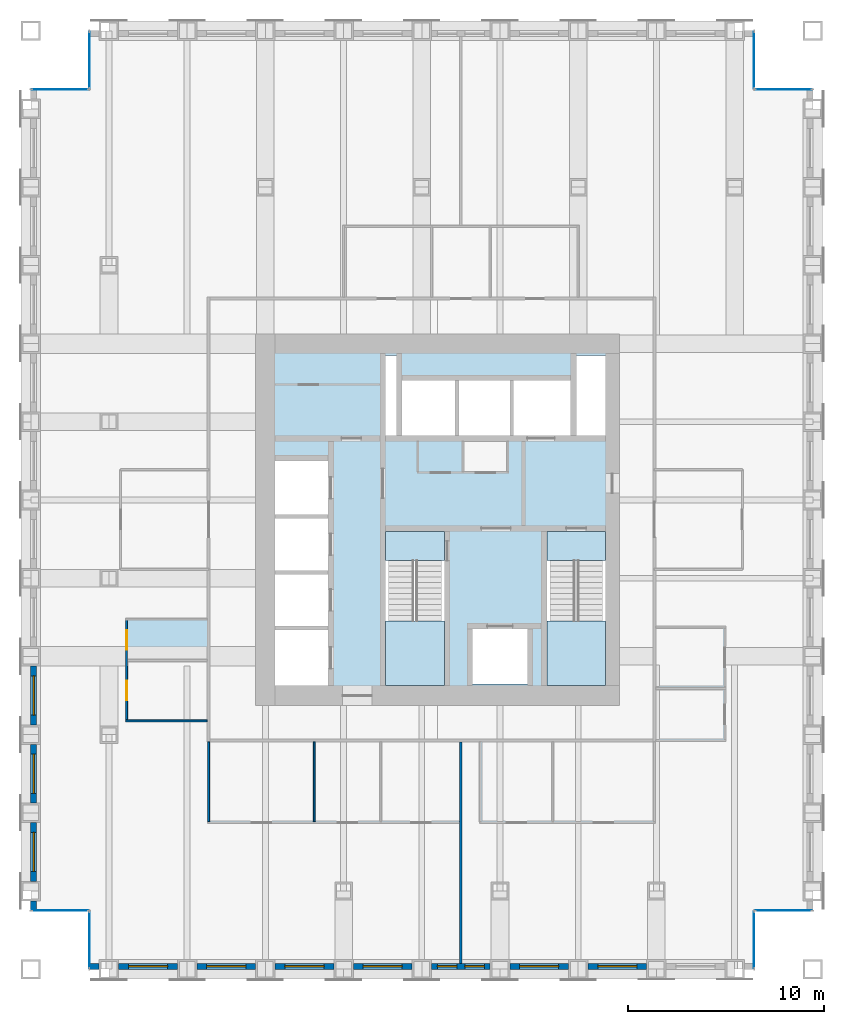
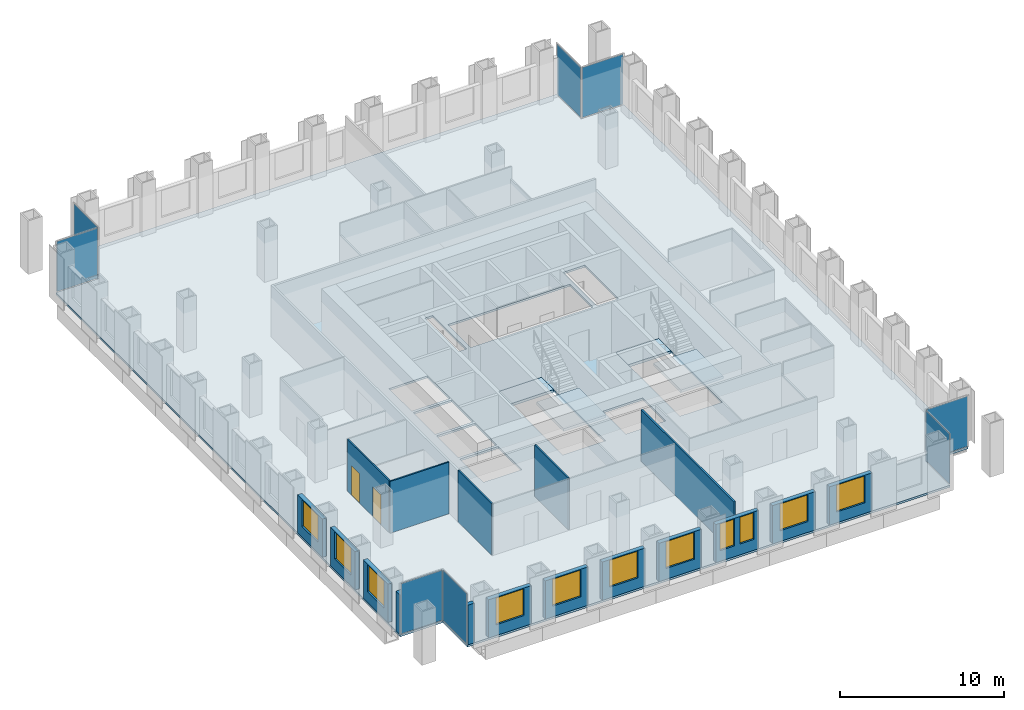
# One storey, part 7 of 12: 17 walls, 11 windows, 8 plates, 5 slabs, 2 doors, 13 openings, 10 elements without a shape of their own.
"""IFC4 building model written with IfcOpenShell, lengths in metres."""

from ifc_helpers import new_model, si_unit, direction, frame, frame_2d, origin, origin_2d, place, context, subcontext, project, spatial, polyline, rectangle, outline, extrude, material, layer, layer_set, type_object, element, fill, aggregate, save


model = new_model("IFC4")

# Units and contexts
model_context = context("Model", 3, precision=1e-05, world=origin(), true_north=direction((0.0, 1.0)))
body_context = subcontext(model_context, "Body", "Model", "MODEL_VIEW")
ifc_project = project(units=[si_unit("LENGTHUNIT", "METRE"), si_unit("AREAUNIT", "SQUARE_METRE"), si_unit("VOLUMEUNIT", "CUBIC_METRE"), si_unit("PLANEANGLEUNIT", "RADIAN"), si_unit("MASSUNIT", "GRAM", prefix="KILO")], contexts=[model_context])

# Site, building, storey
site_placement = place(None, origin())
site = spatial("IfcSite", under=ifc_project, at=site_placement, CompositionType="ELEMENT")
building_placement = place(site_placement, origin())
building = spatial("IfcBuilding", under=site, at=building_placement, Name="Rimbunsela Tower", CompositionType="ELEMENT")
storey_placement = place(building_placement, frame((0.0, 0.0, 147.800048828125)))
storey = spatial("IfcBuildingStorey", under=building, at=storey_placement, Name="L35", CompositionType="ELEMENT", Elevation=147.800048828125)

# Slab
ifc_material_1 = material(Name="Concrete fc' 35 MPa", Category="concrete")
ifc_layer_1 = layer(ifc_material_1, 0.14990234375)
ifc_layer_set_1 = layer_set([ifc_layer_1], Name="Floor slab 150")
slab_type_1 = type_object("IfcSlabType", Name="Floor slab 150", PredefinedType="FLOOR", material=ifc_layer_set_1)
slab_1_placement = place(storey_placement, frame((0.0, 0.0, -0.150146484375)))
element("IfcSlab", 1, at=slab_1_placement, inside=storey, type_object=slab_type_1, Name="Floor slab L35", PredefinedType="FLOOR", context=body_context, shape_type="SweptSolid", body=[
    extrude(outline(polyline([(9.0, 4.0), (43.0, 4.0), (43.0, 7.0), (46.0, 7.0), (46.0, 49.0), (43.0, 49.0), (43.0, 52.0), (9.0, 52.0), (9.0, 49.0), (6.0, 49.0), (6.0, 7.0), (9.0, 7.0), (9.0, 4.0)]), holes=[polyline([(21.199951171875, 21.35009765625), (18.5, 21.35009765625), (18.5, 18.5), (21.199951171875, 18.5), (21.199951171875, 21.35009765625)]), polyline([(21.199951171875, 21.550048828125), (21.199951171875, 24.199951171875), (18.5, 24.199951171875), (18.5, 21.550048828125), (21.199951171875, 21.550048828125)]), polyline([(21.199951171875, 27.050048828125), (18.5, 27.050048828125), (18.5, 24.39990234375), (21.199951171875, 24.39990234375), (21.199951171875, 27.050048828125)]), polyline([(21.199951171875, 27.25), (21.199951171875, 30.0), (18.5, 30.0), (18.5, 27.25), (21.199951171875, 27.25)]), polyline([(27.14990234375, 18.60009765625), (27.14990234375, 26.39990234375), (24.14990234375, 26.39990234375), (24.14990234375, 18.60009765625), (27.14990234375, 18.60009765625)]), polyline([(24.699951171875, 31.300048828125), (24.699951171875, 35.39990234375), (24.14990234375, 35.39990234375), (24.14990234375, 31.300048828125), (24.699951171875, 31.300048828125)]), polyline([(25.0, 34.10009765625), (25.0, 31.300048828125), (33.60009765625, 31.300048828125), (33.60009765625, 34.10009765625), (25.0, 34.10009765625)]), polyline([(31.39990234375, 21.39990234375), (28.60009765625, 21.39990234375), (28.60009765625, 18.60009765625), (31.39990234375, 18.60009765625), (31.39990234375, 21.39990234375)]), polyline([(35.39990234375, 18.60009765625), (35.39990234375, 26.39990234375), (32.39990234375, 26.39990234375), (32.39990234375, 18.60009765625), (35.39990234375, 18.60009765625)]), polyline([(35.39990234375, 31.300048828125), (35.39990234375, 35.39990234375), (33.89990234375, 35.39990234375), (33.89990234375, 31.300048828125), (35.39990234375, 31.300048828125)])]), origin(), (0.0, 0.0, 1.0), 0.150146484375),
])

# Curtain wall, plate
ifc_material_2 = material(Name="Aluminium curtain wall", Category="aluminium")
curtain_wall_type = type_object("IfcCurtainWallType", Name="Corner glazing", PredefinedType="USERDEFINED", material=ifc_material_2)
curtain_wall_1_placement = place(storey_placement, origin())
curtain_wall_1 = element("IfcCurtainWall", 2, at=curtain_wall_1_placement, inside=storey, type_object=curtain_wall_type, Name="Corner glazing L35", ObjectType="CORNER GLAZING", PredefinedType="USERDEFINED")
ifc_material_3 = material(Name="Clear double glazing", Category="glass")
ifc_layer_2 = layer(ifc_material_3, 0.028076171875)
ifc_layer_set_2 = layer_set([ifc_layer_2], Name="Glazed panel clear")
plate_type = type_object("IfcPlateType", Name="Glazed panel clear", PredefinedType="CURTAIN_PANEL", material=ifc_layer_set_2)
plate_1_placement = place(storey_placement, frame((43.0, 5.5, 0.06005859375), z_axis=(0.0, 0.0, 1.0), x_axis=(0.0, 1.0, 0.0)))
plate_1 = element("IfcPlate", 3, at=plate_1_placement, type_object=plate_type, Name="CW5 panel 1.1", PredefinedType="CURTAIN_PANEL", context=body_context, shape_type="SweptSolid", body=[
    extrude(rectangle(XDim=2.8798828125, YDim=0.028076171875, at=origin_2d()), origin(), (0.0, 0.0, 1.0), 3.72998046875),
])
aggregate(curtain_wall_1, [plate_1])

curtain_wall_2_placement = place(storey_placement, origin())
curtain_wall_2 = element("IfcCurtainWall", 4, at=curtain_wall_2_placement, inside=storey, type_object=curtain_wall_type, Name="Corner glazing L35", ObjectType="CORNER GLAZING", PredefinedType="USERDEFINED")
plate_2_placement = place(storey_placement, frame((44.5, 7.0, 0.06005859375), z_axis=(0.0, 0.0, 1.0), x_axis=(1.0, 0.0, 0.0)))
plate_2 = element("IfcPlate", 5, at=plate_2_placement, type_object=plate_type, Name="CW5 panel 1.1", PredefinedType="CURTAIN_PANEL", context=body_context, shape_type="SweptSolid", body=[
    extrude(rectangle(XDim=2.8798828125, YDim=0.028076171875, at=origin_2d()), origin(), (0.0, 0.0, 1.0), 3.72998046875),
])
aggregate(curtain_wall_2, [plate_2])

curtain_wall_3_placement = place(storey_placement, origin())
curtain_wall_3 = element("IfcCurtainWall", 6, at=curtain_wall_3_placement, inside=storey, type_object=curtain_wall_type, Name="Corner glazing L35", ObjectType="CORNER GLAZING", PredefinedType="USERDEFINED")
plate_3_placement = place(storey_placement, frame((44.5, 49.0, 0.06005859375), z_axis=(0.0, 0.0, 1.0), x_axis=(-1.0, 0.0, 0.0)))
plate_3 = element("IfcPlate", 7, at=plate_3_placement, type_object=plate_type, Name="CW5 panel 1.1", PredefinedType="CURTAIN_PANEL", context=body_context, shape_type="SweptSolid", body=[
    extrude(rectangle(XDim=2.8798828125, YDim=0.028076171875, at=origin_2d()), origin(), (0.0, 0.0, 1.0), 3.72998046875),
])
aggregate(curtain_wall_3, [plate_3])

curtain_wall_4_placement = place(storey_placement, origin())
curtain_wall_4 = element("IfcCurtainWall", 8, at=curtain_wall_4_placement, inside=storey, type_object=curtain_wall_type, Name="Corner glazing L35", ObjectType="CORNER GLAZING", PredefinedType="USERDEFINED")
plate_4_placement = place(storey_placement, frame((43.0, 50.5, 0.06005859375), z_axis=(0.0, 0.0, 1.0), x_axis=(0.0, 1.0, 0.0)))
plate_4 = element("IfcPlate", 9, at=plate_4_placement, type_object=plate_type, Name="CW5 panel 1.1", PredefinedType="CURTAIN_PANEL", context=body_context, shape_type="SweptSolid", body=[
    extrude(rectangle(XDim=2.8798828125, YDim=0.028076171875, at=origin_2d()), origin(), (0.0, 0.0, 1.0), 3.72998046875),
])
aggregate(curtain_wall_4, [plate_4])

curtain_wall_5_placement = place(storey_placement, origin())
curtain_wall_5 = element("IfcCurtainWall", 10, at=curtain_wall_5_placement, inside=storey, type_object=curtain_wall_type, Name="Corner glazing L35", ObjectType="CORNER GLAZING", PredefinedType="USERDEFINED")
plate_5_placement = place(storey_placement, frame((9.0, 50.5, 0.06005859375), z_axis=(0.0, 0.0, 1.0), x_axis=(0.0, -1.0, 0.0)))
plate_5 = element("IfcPlate", 11, at=plate_5_placement, type_object=plate_type, Name="CW5 panel 1.1", PredefinedType="CURTAIN_PANEL", context=body_context, shape_type="SweptSolid", body=[
    extrude(rectangle(XDim=2.8798828125, YDim=0.028076171875, at=origin_2d()), origin(), (0.0, 0.0, 1.0), 3.72998046875),
])
aggregate(curtain_wall_5, [plate_5])

curtain_wall_6_placement = place(storey_placement, origin())
curtain_wall_6 = element("IfcCurtainWall", 12, at=curtain_wall_6_placement, inside=storey, type_object=curtain_wall_type, Name="Corner glazing L35", ObjectType="CORNER GLAZING", PredefinedType="USERDEFINED")
plate_6_placement = place(storey_placement, frame((7.5, 49.0, 0.06005859375), z_axis=(0.0, 0.0, 1.0), x_axis=(-1.0, 0.0, 0.0)))
plate_6 = element("IfcPlate", 13, at=plate_6_placement, type_object=plate_type, Name="CW5 panel 1.1", PredefinedType="CURTAIN_PANEL", context=body_context, shape_type="SweptSolid", body=[
    extrude(rectangle(XDim=2.8798828125, YDim=0.028076171875, at=origin_2d()), origin(), (0.0, 0.0, 1.0), 3.72998046875),
])
aggregate(curtain_wall_6, [plate_6])

curtain_wall_7_placement = place(storey_placement, origin())
curtain_wall_7 = element("IfcCurtainWall", 14, at=curtain_wall_7_placement, inside=storey, type_object=curtain_wall_type, Name="Corner glazing L35", ObjectType="CORNER GLAZING", PredefinedType="USERDEFINED")
plate_7_placement = place(storey_placement, frame((7.5, 7.0, 0.06005859375), z_axis=(0.0, 0.0, 1.0), x_axis=(1.0, 0.0, 0.0)))
plate_7 = element("IfcPlate", 15, at=plate_7_placement, type_object=plate_type, Name="CW5 panel 1.1", PredefinedType="CURTAIN_PANEL", context=body_context, shape_type="SweptSolid", body=[
    extrude(rectangle(XDim=2.8798828125, YDim=0.028076171875, at=origin_2d()), origin(), (0.0, 0.0, 1.0), 3.72998046875),
])
aggregate(curtain_wall_7, [plate_7])

curtain_wall_8_placement = place(storey_placement, origin())
curtain_wall_8 = element("IfcCurtainWall", 16, at=curtain_wall_8_placement, inside=storey, type_object=curtain_wall_type, Name="Corner glazing L35", ObjectType="CORNER GLAZING", PredefinedType="USERDEFINED")
plate_8_placement = place(storey_placement, frame((9.0, 5.5, 0.06005859375), z_axis=(0.0, 0.0, 1.0), x_axis=(0.0, -1.0, 0.0)))
plate_8 = element("IfcPlate", 17, at=plate_8_placement, type_object=plate_type, Name="CW5 panel 1.1", PredefinedType="CURTAIN_PANEL", context=body_context, shape_type="SweptSolid", body=[
    extrude(rectangle(XDim=2.8798828125, YDim=0.028076171875, at=origin_2d()), origin(), (0.0, 0.0, 1.0), 3.72998046875),
])
aggregate(curtain_wall_8, [plate_8])

# Stair, slabs
ifc_material_4 = material(Name="Concrete fc' 35 MPa", Category="concrete")
stair_type = type_object("IfcStairType", Name="Exit stair 24 risers", PredefinedType="HALF_TURN_STAIR", material=ifc_material_4)
stair_1_placement = place(storey_placement, origin())
stair_1 = element("IfcStair", 18, at=stair_1_placement, inside=storey, type_object=stair_type, Name="Exit stair A L35", PredefinedType="HALF_TURN_STAIR")
ifc_material_5 = material(Name="Concrete fc' 35 MPa", Category="concrete")
ifc_layer_3 = layer(ifc_material_5, 0.199951171875)
ifc_layer_set_3 = layer_set([ifc_layer_3], Name="Stair landing 200")
slab_type_2 = type_object("IfcSlabType", Name="Stair landing 200", PredefinedType="LANDING", material=ifc_layer_set_3)
slab_2_placement = place(storey_placement, frame((0.0, 0.0, -0.199951171875)))
slab_2 = element("IfcSlab", 19, at=slab_2_placement, type_object=slab_type_2, Name="ST-A landing 1", PredefinedType="LANDING", context=body_context, shape_type="SweptSolid", body=[
    extrude(outline(polyline([(24.14990234375, 24.89990234375), (27.14990234375, 24.89990234375), (27.14990234375, 26.39990234375), (24.14990234375, 26.39990234375), (24.14990234375, 24.89990234375)])), origin(), (0.0, 0.0, 1.0), 0.199951171875),
])
slab_3_placement = place(storey_placement, frame((0.0, 0.0, 1.800048828125)))
slab_3 = element("IfcSlab", 20, at=slab_3_placement, type_object=slab_type_2, Name="ST-A landing 2", PredefinedType="LANDING", context=body_context, shape_type="SweptSolid", body=[
    extrude(outline(polyline([(24.14990234375, 18.5), (27.14990234375, 18.5), (27.14990234375, 21.820068359375), (24.14990234375, 21.820068359375), (24.14990234375, 18.5)])), origin(), (0.0, 0.0, 1.0), 0.199951171875),
])
aggregate(stair_1, [slab_2, slab_3])

stair_2_placement = place(storey_placement, origin())
stair_2 = element("IfcStair", 21, at=stair_2_placement, inside=storey, type_object=stair_type, Name="Exit stair B L35", PredefinedType="HALF_TURN_STAIR")
slab_4_placement = place(storey_placement, frame((0.0, 0.0, -0.199951171875)))
slab_4 = element("IfcSlab", 22, at=slab_4_placement, type_object=slab_type_2, Name="ST-B landing 1", PredefinedType="LANDING", context=body_context, shape_type="SweptSolid", body=[
    extrude(outline(polyline([(32.39990234375, 24.89990234375), (35.39990234375, 24.89990234375), (35.39990234375, 26.39990234375), (32.39990234375, 26.39990234375), (32.39990234375, 24.89990234375)])), origin(), (0.0, 0.0, 1.0), 0.199951171875),
])
slab_5_placement = place(storey_placement, frame((0.0, 0.0, 1.800048828125)))
slab_5 = element("IfcSlab", 23, at=slab_5_placement, type_object=slab_type_2, Name="ST-B landing 2", PredefinedType="LANDING", context=body_context, shape_type="SweptSolid", body=[
    extrude(outline(polyline([(32.39990234375, 18.5), (35.39990234375, 18.5), (35.39990234375, 21.820068359375), (32.39990234375, 21.820068359375), (32.39990234375, 18.5)])), origin(), (0.0, 0.0, 1.0), 0.199951171875),
])
aggregate(stair_2, [slab_4, slab_5])

# Wall
ifc_material_6 = material(Name="Gypsum board on steel studs", Category="steel")
ifc_layer_4 = layer(ifc_material_6, 0.10009765625)
ifc_layer_set_4 = layer_set([ifc_layer_4], Name="Office partition 100")
wall_type_1 = type_object("IfcWallType", Name="Office partition 100", PredefinedType="PARTITIONING", material=ifc_layer_set_4)
wall_1_placement = place(storey_placement, frame((10.85009765625, 16.699951171875, 0.0), z_axis=(0.0, 0.0, 1.0), x_axis=(1.0, 0.0, 0.0)))
element("IfcWall", 24, at=wall_1_placement, inside=storey, type_object=wall_type_1, Name="Office partition", PredefinedType="PARTITIONING", context=body_context, shape_type="SweptSolid", body=[
    extrude(rectangle(XDim=4.1748046875, YDim=0.10009765625, at=frame_2d((2.08740234375, 0.0))), origin(), (0.0, 0.0, 1.0), 3.849853515625),
])

# Wall, openings, doors
wall_2_placement = place(storey_placement, frame((10.89990234375, 16.75, 0.0), z_axis=(0.0, 0.0, 1.0), x_axis=(0.0, 1.0, 0.0)))
wall_2 = element("IfcWall", 25, at=wall_2_placement, inside=storey, type_object=wall_type_1, Name="Office partition", PredefinedType="PARTITIONING", context=body_context, shape_type="SweptSolid", body=[
    extrude(rectangle(XDim=5.10009765625, YDim=0.10009765625, at=frame_2d((2.550048828125, 0.0))), origin(), (0.0, 0.0, 1.0), 3.849853515625),
])
opening_1_placement = place(wall_2_placement, frame((1.0, 0.0, 0.0)))
opening_1 = element("IfcOpeningElement", 26, at=opening_1_placement, cuts=wall_2, Name="Opening D16", PredefinedType="OPENING", context=body_context, shape_type="SweptSolid", body=[
    extrude(rectangle(XDim=1.0, YDim=2.199951171875, at=frame_2d((0.5, 1.10009765625))), frame((0.0, 0.06005859375, 0.0), z_axis=(0.0, -1.0, 0.0), x_axis=(1.0, 0.0, 0.0)), (0.0, 0.0, 1.0), 0.1201171875),
])
opening_2_placement = place(wall_2_placement, frame((3.60009765625, 0.0, 0.0)))
opening_2 = element("IfcOpeningElement", 27, at=opening_2_placement, cuts=wall_2, Name="Opening D16", PredefinedType="OPENING", context=body_context, shape_type="SweptSolid", body=[
    extrude(rectangle(XDim=1.0, YDim=2.199951171875, at=frame_2d((0.5, 1.10009765625))), frame((0.0, 0.06005859375, 0.0), z_axis=(0.0, -1.0, 0.0), x_axis=(1.0, 0.0, 0.0)), (0.0, 0.0, 1.0), 0.1201171875),
])
ifc_material_7 = material(Name="Timber door", Category="wood")
door_type = type_object("IfcDoorType", Name="Office door 1000", OperationType="SINGLE_SWING_LEFT", PredefinedType="DOOR", material=ifc_material_7)
door_1_placement = place(opening_1_placement, origin())
door_1 = element("IfcDoor", 28, at=door_1_placement, inside=storey, type_object=door_type, Name="Office door", OperationType="SINGLE_SWING_LEFT", OverallHeight=2.199951171875, OverallWidth=1.0, PredefinedType="DOOR", context=body_context, shape_type="SweptSolid", body=[
    extrude(rectangle(XDim=1.0, YDim=2.199951171875, at=frame_2d((0.5, 1.10009765625))), frame((0.0, 0.02490234375, 0.0), z_axis=(0.0, -1.0, 0.0), x_axis=(1.0, 0.0, 0.0)), (0.0, 0.0, 1.0), 0.050048828125),
])
fill(opening_1, door_1)
door_2_placement = place(opening_2_placement, origin())
door_2 = element("IfcDoor", 29, at=door_2_placement, inside=storey, type_object=door_type, Name="Office door", OperationType="SINGLE_SWING_LEFT", OverallHeight=2.199951171875, OverallWidth=1.0, PredefinedType="DOOR", context=body_context, shape_type="SweptSolid", body=[
    extrude(rectangle(XDim=1.0, YDim=2.199951171875, at=frame_2d((0.5, 1.10009765625))), frame((0.0, 0.02490234375, 0.0), z_axis=(0.0, -1.0, 0.0), x_axis=(1.0, 0.0, 0.0)), (0.0, 0.0, 1.0), 0.050048828125),
])
fill(opening_2, door_2)

# Walls
for number, where, z_axis, x_axis, name in (
    (30, (15.10009765625, 11.550048828125, 0.0), (0.0, 0.0, 1.0), (0.0, 1.0, 0.0), "Office partition"),
    (31, (20.5, 11.550048828125, 0.0), (0.0, 0.0, 1.0), (0.0, 1.0, 0.0), "Office partition"),
):
    element("IfcWall", number, at=place(storey_placement, frame(where, z_axis=z_axis, x_axis=x_axis)), inside=storey, type_object=wall_type_1, Name=name, PredefinedType="PARTITIONING", context=body_context, shape_type="SweptSolid", body=[
        extrude(rectangle(XDim=4.074951171875, YDim=0.10009765625, at=frame_2d((2.03759765625, 0.0))), origin(), (0.0, 0.0, 1.0), 3.849853515625),
    ])
ifc_material_8 = material(Name="Precast concrete fc' 35 MPa", Category="concrete")
ifc_layer_5 = layer(ifc_material_8, 0.300048828125)
ifc_layer_set_5 = layer_set([ifc_layer_5], Name="Precast concrete fc' 35 MPa")
wall_type_2 = type_object("IfcWallType", Name="Precast facade panel 300", PredefinedType="ELEMENTEDWALL", material=ifc_layer_set_5)
wall_3_placement = place(storey_placement, frame((9.030029296875, 4.14990234375, 0.0), z_axis=(0.0, 0.0, 1.0), x_axis=(1.0, 0.0, 0.0)))
element("IfcWall", 32, at=wall_3_placement, inside=storey, type_object=wall_type_2, Name="Facade panel S L35", PredefinedType="ELEMENTEDWALL", context=body_context, shape_type="SweptSolid", body=[
    extrude(rectangle(XDim=0.469970703125, YDim=0.300048828125, at=frame_2d((0.23486328125, 0.0))), origin(), (0.0, 0.0, 1.0), 2.949951171875),
])

# Wall, opening, window
wall_4_placement = place(storey_placement, frame((10.5, 4.14990234375, 0.0), z_axis=(0.0, 0.0, 1.0), x_axis=(1.0, 0.0, 0.0)))
wall_4 = element("IfcWall", 33, at=wall_4_placement, inside=storey, type_object=wall_type_2, Name="Facade panel S L35", PredefinedType="ELEMENTEDWALL", context=body_context, shape_type="SweptSolid", body=[
    extrude(rectangle(XDim=3.0, YDim=0.300048828125, at=frame_2d((1.5, 0.0))), origin(), (0.0, 0.0, 1.0), 2.849853515625),
])
opening_3_placement = place(wall_4_placement, frame((0.5, 0.0, 0.800048828125)))
opening_3 = element("IfcOpeningElement", 34, at=opening_3_placement, cuts=wall_4, Name="Opening W1", PredefinedType="OPENING", context=body_context, shape_type="SweptSolid", body=[
    extrude(rectangle(XDim=2.0, YDim=2.0, at=frame_2d((1.0, 1.0))), frame((0.0, 0.159912109375, 0.0), z_axis=(0.0, -1.0, 0.0), x_axis=(1.0, 0.0, 0.0)), (0.0, 0.0, 1.0), 0.320068359375),
])
ifc_material_9 = material(Name="Clear glass in aluminium frame", Category="aluminium")
window_type_1 = type_object("IfcWindowType", Name="Window W1 2000x2000", PartitioningType="DOUBLE_PANEL_VERTICAL", PredefinedType="WINDOW", material=ifc_material_9)
window_1_placement = place(opening_3_placement, origin())
window_1 = element("IfcWindow", 35, at=window_1_placement, inside=storey, type_object=window_type_1, Name="Window L35", OverallHeight=2.0, OverallWidth=2.0, PartitioningType="SINGLE_PANEL", PredefinedType="WINDOW", context=body_context, shape_type="SweptSolid", body=[
    extrude(rectangle(XDim=2.0, YDim=2.0, at=frame_2d((1.0, 1.0))), frame((0.0, 0.030029296875, 0.0), z_axis=(0.0, -1.0, 0.0), x_axis=(1.0, 0.0, 0.0)), (0.0, 0.0, 1.0), 0.06005859375),
])
fill(opening_3, window_1)

wall_5_placement = place(storey_placement, frame((14.5, 4.14990234375, 0.0), z_axis=(0.0, 0.0, 1.0), x_axis=(1.0, 0.0, 0.0)))
wall_5 = element("IfcWall", 36, at=wall_5_placement, inside=storey, type_object=wall_type_2, Name="Facade panel S L35", PredefinedType="ELEMENTEDWALL", context=body_context, shape_type="SweptSolid", body=[
    extrude(rectangle(XDim=3.0, YDim=0.300048828125, at=frame_2d((1.5, 0.0))), origin(), (0.0, 0.0, 1.0), 2.849853515625),
])
opening_4_placement = place(wall_5_placement, frame((0.5, 0.0, 0.800048828125)))
opening_4 = element("IfcOpeningElement", 37, at=opening_4_placement, cuts=wall_5, Name="Opening W1", PredefinedType="OPENING", context=body_context, shape_type="SweptSolid", body=[
    extrude(rectangle(XDim=2.0, YDim=2.0, at=frame_2d((1.0, 1.0))), frame((0.0, 0.159912109375, 0.0), z_axis=(0.0, -1.0, 0.0), x_axis=(1.0, 0.0, 0.0)), (0.0, 0.0, 1.0), 0.320068359375),
])
window_2_placement = place(opening_4_placement, origin())
window_2 = element("IfcWindow", 38, at=window_2_placement, inside=storey, type_object=window_type_1, Name="Window L35", OverallHeight=2.0, OverallWidth=2.0, PartitioningType="SINGLE_PANEL", PredefinedType="WINDOW", context=body_context, shape_type="SweptSolid", body=[
    extrude(rectangle(XDim=2.0, YDim=2.0, at=frame_2d((1.0, 1.0))), frame((0.0, 0.030029296875, 0.0), z_axis=(0.0, -1.0, 0.0), x_axis=(1.0, 0.0, 0.0)), (0.0, 0.0, 1.0), 0.06005859375),
])
fill(opening_4, window_2)

wall_6_placement = place(storey_placement, frame((18.5, 4.14990234375, 0.0), z_axis=(0.0, 0.0, 1.0), x_axis=(1.0, 0.0, 0.0)))
wall_6 = element("IfcWall", 39, at=wall_6_placement, inside=storey, type_object=wall_type_2, Name="Facade panel S L35", PredefinedType="ELEMENTEDWALL", context=body_context, shape_type="SweptSolid", body=[
    extrude(rectangle(XDim=3.0, YDim=0.300048828125, at=frame_2d((1.5, 0.0))), origin(), (0.0, 0.0, 1.0), 2.849853515625),
])
opening_5_placement = place(wall_6_placement, frame((0.5, 0.0, 0.800048828125)))
opening_5 = element("IfcOpeningElement", 40, at=opening_5_placement, cuts=wall_6, Name="Opening W1", PredefinedType="OPENING", context=body_context, shape_type="SweptSolid", body=[
    extrude(rectangle(XDim=2.0, YDim=2.0, at=frame_2d((1.0, 1.0))), frame((0.0, 0.159912109375, 0.0), z_axis=(0.0, -1.0, 0.0), x_axis=(1.0, 0.0, 0.0)), (0.0, 0.0, 1.0), 0.320068359375),
])
window_3_placement = place(opening_5_placement, origin())
window_3 = element("IfcWindow", 41, at=window_3_placement, inside=storey, type_object=window_type_1, Name="Window L35", OverallHeight=2.0, OverallWidth=2.0, PartitioningType="SINGLE_PANEL", PredefinedType="WINDOW", context=body_context, shape_type="SweptSolid", body=[
    extrude(rectangle(XDim=2.0, YDim=2.0, at=frame_2d((1.0, 1.0))), frame((0.0, 0.030029296875, 0.0), z_axis=(0.0, -1.0, 0.0), x_axis=(1.0, 0.0, 0.0)), (0.0, 0.0, 1.0), 0.06005859375),
])
fill(opening_5, window_3)

wall_7_placement = place(storey_placement, frame((22.5, 4.14990234375, 0.0), z_axis=(0.0, 0.0, 1.0), x_axis=(1.0, 0.0, 0.0)))
wall_7 = element("IfcWall", 42, at=wall_7_placement, inside=storey, type_object=wall_type_2, Name="Facade panel S L35", PredefinedType="ELEMENTEDWALL", context=body_context, shape_type="SweptSolid", body=[
    extrude(rectangle(XDim=3.0, YDim=0.300048828125, at=frame_2d((1.5, 0.0))), origin(), (0.0, 0.0, 1.0), 2.849853515625),
])
opening_6_placement = place(wall_7_placement, frame((0.5, 0.0, 0.800048828125)))
opening_6 = element("IfcOpeningElement", 43, at=opening_6_placement, cuts=wall_7, Name="Opening W1", PredefinedType="OPENING", context=body_context, shape_type="SweptSolid", body=[
    extrude(rectangle(XDim=2.0, YDim=2.0, at=frame_2d((1.0, 1.0))), frame((0.0, 0.159912109375, 0.0), z_axis=(0.0, -1.0, 0.0), x_axis=(1.0, 0.0, 0.0)), (0.0, 0.0, 1.0), 0.320068359375),
])
window_4_placement = place(opening_6_placement, origin())
window_4 = element("IfcWindow", 44, at=window_4_placement, inside=storey, type_object=window_type_1, Name="Window L35", OverallHeight=2.0, OverallWidth=2.0, PartitioningType="SINGLE_PANEL", PredefinedType="WINDOW", context=body_context, shape_type="SweptSolid", body=[
    extrude(rectangle(XDim=2.0, YDim=2.0, at=frame_2d((1.0, 1.0))), frame((0.0, 0.030029296875, 0.0), z_axis=(0.0, -1.0, 0.0), x_axis=(1.0, 0.0, 0.0)), (0.0, 0.0, 1.0), 0.06005859375),
])
fill(opening_6, window_4)

# Wall, openings, windows
wall_8_placement = place(storey_placement, frame((26.5, 4.14990234375, 0.0), z_axis=(0.0, 0.0, 1.0), x_axis=(1.0, 0.0, 0.0)))
wall_8 = element("IfcWall", 45, at=wall_8_placement, inside=storey, type_object=wall_type_2, Name="Facade panel S L35", PredefinedType="ELEMENTEDWALL", context=body_context, shape_type="SweptSolid", body=[
    extrude(rectangle(XDim=3.0, YDim=0.300048828125, at=frame_2d((1.5, 0.0))), origin(), (0.0, 0.0, 1.0), 2.849853515625),
])
opening_7_placement = place(wall_8_placement, frame((0.300048828125, 0.0, 0.800048828125)))
opening_7 = element("IfcOpeningElement", 46, at=opening_7_placement, cuts=wall_8, Name="Opening W5", PredefinedType="OPENING", context=body_context, shape_type="SweptSolid", body=[
    extrude(rectangle(XDim=1.0, YDim=2.0, at=frame_2d((0.5, 1.0))), frame((0.0, 0.159912109375, 0.0), z_axis=(0.0, -1.0, 0.0), x_axis=(1.0, 0.0, 0.0)), (0.0, 0.0, 1.0), 0.320068359375),
])
opening_8_placement = place(wall_8_placement, frame((1.699951171875, 0.0, 0.800048828125)))
opening_8 = element("IfcOpeningElement", 47, at=opening_8_placement, cuts=wall_8, Name="Opening W5", PredefinedType="OPENING", context=body_context, shape_type="SweptSolid", body=[
    extrude(rectangle(XDim=1.0, YDim=2.0, at=frame_2d((0.5, 1.0))), frame((0.0, 0.159912109375, 0.0), z_axis=(0.0, -1.0, 0.0), x_axis=(1.0, 0.0, 0.0)), (0.0, 0.0, 1.0), 0.320068359375),
])
ifc_material_10 = material(Name="Clear glass in aluminium frame", Category="aluminium")
window_type_2 = type_object("IfcWindowType", Name="Window W5 1000x2000", PartitioningType="SINGLE_PANEL", PredefinedType="WINDOW", material=ifc_material_10)
window_5_placement = place(opening_7_placement, origin())
window_5 = element("IfcWindow", 48, at=window_5_placement, inside=storey, type_object=window_type_2, Name="Window L35", OverallHeight=2.0, OverallWidth=1.0, PartitioningType="SINGLE_PANEL", PredefinedType="WINDOW", context=body_context, shape_type="SweptSolid", body=[
    extrude(rectangle(XDim=1.0, YDim=2.0, at=frame_2d((0.5, 1.0))), frame((0.0, 0.030029296875, 0.0), z_axis=(0.0, -1.0, 0.0), x_axis=(1.0, 0.0, 0.0)), (0.0, 0.0, 1.0), 0.06005859375),
])
fill(opening_7, window_5)
window_6_placement = place(opening_8_placement, origin())
window_6 = element("IfcWindow", 49, at=window_6_placement, inside=storey, type_object=window_type_2, Name="Window L35", OverallHeight=2.0, OverallWidth=1.0, PartitioningType="SINGLE_PANEL", PredefinedType="WINDOW", context=body_context, shape_type="SweptSolid", body=[
    extrude(rectangle(XDim=1.0, YDim=2.0, at=frame_2d((0.5, 1.0))), frame((0.0, 0.030029296875, 0.0), z_axis=(0.0, -1.0, 0.0), x_axis=(1.0, 0.0, 0.0)), (0.0, 0.0, 1.0), 0.06005859375),
])
fill(opening_8, window_6)

# Wall, opening, window
wall_9_placement = place(storey_placement, frame((30.5, 4.14990234375, 0.0), z_axis=(0.0, 0.0, 1.0), x_axis=(1.0, 0.0, 0.0)))
wall_9 = element("IfcWall", 50, at=wall_9_placement, inside=storey, type_object=wall_type_2, Name="Facade panel S L35", PredefinedType="ELEMENTEDWALL", context=body_context, shape_type="SweptSolid", body=[
    extrude(rectangle(XDim=3.0, YDim=0.300048828125, at=frame_2d((1.5, 0.0))), origin(), (0.0, 0.0, 1.0), 2.849853515625),
])
opening_9_placement = place(wall_9_placement, frame((0.5, 0.0, 0.800048828125)))
opening_9 = element("IfcOpeningElement", 51, at=opening_9_placement, cuts=wall_9, Name="Opening W1", PredefinedType="OPENING", context=body_context, shape_type="SweptSolid", body=[
    extrude(rectangle(XDim=2.0, YDim=2.0, at=frame_2d((1.0, 1.0))), frame((0.0, 0.159912109375, 0.0), z_axis=(0.0, -1.0, 0.0), x_axis=(1.0, 0.0, 0.0)), (0.0, 0.0, 1.0), 0.320068359375),
])
window_7_placement = place(opening_9_placement, origin())
window_7 = element("IfcWindow", 52, at=window_7_placement, inside=storey, type_object=window_type_1, Name="Window L35", OverallHeight=2.0, OverallWidth=2.0, PartitioningType="SINGLE_PANEL", PredefinedType="WINDOW", context=body_context, shape_type="SweptSolid", body=[
    extrude(rectangle(XDim=2.0, YDim=2.0, at=frame_2d((1.0, 1.0))), frame((0.0, 0.030029296875, 0.0), z_axis=(0.0, -1.0, 0.0), x_axis=(1.0, 0.0, 0.0)), (0.0, 0.0, 1.0), 0.06005859375),
])
fill(opening_9, window_7)

wall_10_placement = place(storey_placement, frame((34.5, 4.14990234375, 0.0), z_axis=(0.0, 0.0, 1.0), x_axis=(1.0, 0.0, 0.0)))
wall_10 = element("IfcWall", 53, at=wall_10_placement, inside=storey, type_object=wall_type_2, Name="Facade panel S L35", PredefinedType="ELEMENTEDWALL", context=body_context, shape_type="SweptSolid", body=[
    extrude(rectangle(XDim=3.0, YDim=0.300048828125, at=frame_2d((1.5, 0.0))), origin(), (0.0, 0.0, 1.0), 2.849853515625),
])
opening_10_placement = place(wall_10_placement, frame((0.5, 0.0, 0.800048828125)))
opening_10 = element("IfcOpeningElement", 54, at=opening_10_placement, cuts=wall_10, Name="Opening W1", PredefinedType="OPENING", context=body_context, shape_type="SweptSolid", body=[
    extrude(rectangle(XDim=2.0, YDim=2.0, at=frame_2d((1.0, 1.0))), frame((0.0, 0.159912109375, 0.0), z_axis=(0.0, -1.0, 0.0), x_axis=(1.0, 0.0, 0.0)), (0.0, 0.0, 1.0), 0.320068359375),
])
window_8_placement = place(opening_10_placement, origin())
window_8 = element("IfcWindow", 55, at=window_8_placement, inside=storey, type_object=window_type_1, Name="Window L35", OverallHeight=2.0, OverallWidth=2.0, PartitioningType="SINGLE_PANEL", PredefinedType="WINDOW", context=body_context, shape_type="SweptSolid", body=[
    extrude(rectangle(XDim=2.0, YDim=2.0, at=frame_2d((1.0, 1.0))), frame((0.0, 0.030029296875, 0.0), z_axis=(0.0, -1.0, 0.0), x_axis=(1.0, 0.0, 0.0)), (0.0, 0.0, 1.0), 0.06005859375),
])
fill(opening_10, window_8)

# Wall
wall_11_placement = place(storey_placement, frame((6.14990234375, 7.5, 0.0), z_axis=(0.0, 0.0, 1.0), x_axis=(0.0, -1.0, 0.0)))
element("IfcWall", 56, at=wall_11_placement, inside=storey, type_object=wall_type_2, Name="Facade panel W L35", PredefinedType="ELEMENTEDWALL", context=body_context, shape_type="SweptSolid", body=[
    extrude(rectangle(XDim=0.469970703125, YDim=0.300048828125, at=frame_2d((0.23486328125, 0.0))), origin(), (0.0, 0.0, 1.0), 2.949951171875),
])

# Wall, opening, window
wall_12_placement = place(storey_placement, frame((6.14990234375, 11.5, 0.0), z_axis=(0.0, 0.0, 1.0), x_axis=(0.0, -1.0, 0.0)))
wall_12 = element("IfcWall", 57, at=wall_12_placement, inside=storey, type_object=wall_type_2, Name="Facade panel W L35", PredefinedType="ELEMENTEDWALL", context=body_context, shape_type="SweptSolid", body=[
    extrude(rectangle(XDim=3.0, YDim=0.300048828125, at=frame_2d((1.5, 0.0))), origin(), (0.0, 0.0, 1.0), 2.849853515625),
])
opening_11_placement = place(wall_12_placement, frame((0.5, 0.0, 0.800048828125)))
opening_11 = element("IfcOpeningElement", 58, at=opening_11_placement, cuts=wall_12, Name="Opening W1", PredefinedType="OPENING", context=body_context, shape_type="SweptSolid", body=[
    extrude(rectangle(XDim=2.0, YDim=2.0, at=frame_2d((1.0, 1.0))), frame((0.0, 0.159912109375, 0.0), z_axis=(0.0, -1.0, 0.0), x_axis=(1.0, 0.0, 0.0)), (0.0, 0.0, 1.0), 0.320068359375),
])
window_9_placement = place(opening_11_placement, origin())
window_9 = element("IfcWindow", 59, at=window_9_placement, inside=storey, type_object=window_type_1, Name="Window L35", OverallHeight=2.0, OverallWidth=2.0, PartitioningType="SINGLE_PANEL", PredefinedType="WINDOW", context=body_context, shape_type="SweptSolid", body=[
    extrude(rectangle(XDim=2.0, YDim=2.0, at=frame_2d((1.0, 1.0))), frame((0.0, 0.030029296875, 0.0), z_axis=(0.0, -1.0, 0.0), x_axis=(1.0, 0.0, 0.0)), (0.0, 0.0, 1.0), 0.06005859375),
])
fill(opening_11, window_9)

wall_13_placement = place(storey_placement, frame((6.14990234375, 15.5, 0.0), z_axis=(0.0, 0.0, 1.0), x_axis=(0.0, -1.0, 0.0)))
wall_13 = element("IfcWall", 60, at=wall_13_placement, inside=storey, type_object=wall_type_2, Name="Facade panel W L35", PredefinedType="ELEMENTEDWALL", context=body_context, shape_type="SweptSolid", body=[
    extrude(rectangle(XDim=3.0, YDim=0.300048828125, at=frame_2d((1.5, 0.0))), origin(), (0.0, 0.0, 1.0), 2.849853515625),
])
opening_12_placement = place(wall_13_placement, frame((0.5, 0.0, 0.800048828125)))
opening_12 = element("IfcOpeningElement", 61, at=opening_12_placement, cuts=wall_13, Name="Opening W1", PredefinedType="OPENING", context=body_context, shape_type="SweptSolid", body=[
    extrude(rectangle(XDim=2.0, YDim=2.0, at=frame_2d((1.0, 1.0))), frame((0.0, 0.159912109375, 0.0), z_axis=(0.0, -1.0, 0.0), x_axis=(1.0, 0.0, 0.0)), (0.0, 0.0, 1.0), 0.320068359375),
])
window_10_placement = place(opening_12_placement, origin())
window_10 = element("IfcWindow", 62, at=window_10_placement, inside=storey, type_object=window_type_1, Name="Window L35", OverallHeight=2.0, OverallWidth=2.0, PartitioningType="SINGLE_PANEL", PredefinedType="WINDOW", context=body_context, shape_type="SweptSolid", body=[
    extrude(rectangle(XDim=2.0, YDim=2.0, at=frame_2d((1.0, 1.0))), frame((0.0, 0.030029296875, 0.0), z_axis=(0.0, -1.0, 0.0), x_axis=(1.0, 0.0, 0.0)), (0.0, 0.0, 1.0), 0.06005859375),
])
fill(opening_12, window_10)

wall_14_placement = place(storey_placement, frame((6.14990234375, 19.5, 0.0), z_axis=(0.0, 0.0, 1.0), x_axis=(0.0, -1.0, 0.0)))
wall_14 = element("IfcWall", 63, at=wall_14_placement, inside=storey, type_object=wall_type_2, Name="Facade panel W L35", PredefinedType="ELEMENTEDWALL", context=body_context, shape_type="SweptSolid", body=[
    extrude(rectangle(XDim=3.0, YDim=0.300048828125, at=frame_2d((1.5, 0.0))), origin(), (0.0, 0.0, 1.0), 2.849853515625),
])
opening_13_placement = place(wall_14_placement, frame((0.5, 0.0, 0.800048828125)))
opening_13 = element("IfcOpeningElement", 64, at=opening_13_placement, cuts=wall_14, Name="Opening W1", PredefinedType="OPENING", context=body_context, shape_type="SweptSolid", body=[
    extrude(rectangle(XDim=2.0, YDim=2.0, at=frame_2d((1.0, 1.0))), frame((0.0, 0.159912109375, 0.0), z_axis=(0.0, -1.0, 0.0), x_axis=(1.0, 0.0, 0.0)), (0.0, 0.0, 1.0), 0.320068359375),
])
window_11_placement = place(opening_13_placement, origin())
window_11 = element("IfcWindow", 65, at=window_11_placement, inside=storey, type_object=window_type_1, Name="Window L35", OverallHeight=2.0, OverallWidth=2.0, PartitioningType="SINGLE_PANEL", PredefinedType="WINDOW", context=body_context, shape_type="SweptSolid", body=[
    extrude(rectangle(XDim=2.0, YDim=2.0, at=frame_2d((1.0, 1.0))), frame((0.0, 0.030029296875, 0.0), z_axis=(0.0, -1.0, 0.0), x_axis=(1.0, 0.0, 0.0)), (0.0, 0.0, 1.0), 0.06005859375),
])
fill(opening_13, window_11)

# Wall
ifc_material_11 = material(Name="Gypsum board on steel studs", Category="steel")
ifc_layer_6 = layer(ifc_material_11, 0.1201171875)
ifc_layer_set_6 = layer_set([ifc_layer_6], Name="Tenancy partition 120")
wall_type_3 = type_object("IfcWallType", Name="Tenancy partition 120", PredefinedType="PARTITIONING", material=ifc_layer_set_6)
wall_15_placement = place(storey_placement, frame((28.0, 4.300048828125, 0.0), z_axis=(0.0, 0.0, 1.0), x_axis=(0.0, 1.0, 0.0)))
element("IfcWall", 66, at=wall_15_placement, inside=storey, type_object=wall_type_3, Name="Tenancy partition south", PredefinedType="PARTITIONING", context=body_context, shape_type="SweptSolid", body=[
    extrude(rectangle(XDim=11.324951171875, YDim=0.1201171875, at=frame_2d((5.66259765625, 0.0))), origin(), (0.0, 0.0, 1.0), 3.849853515625),
])

save(model, "model.ifc")
